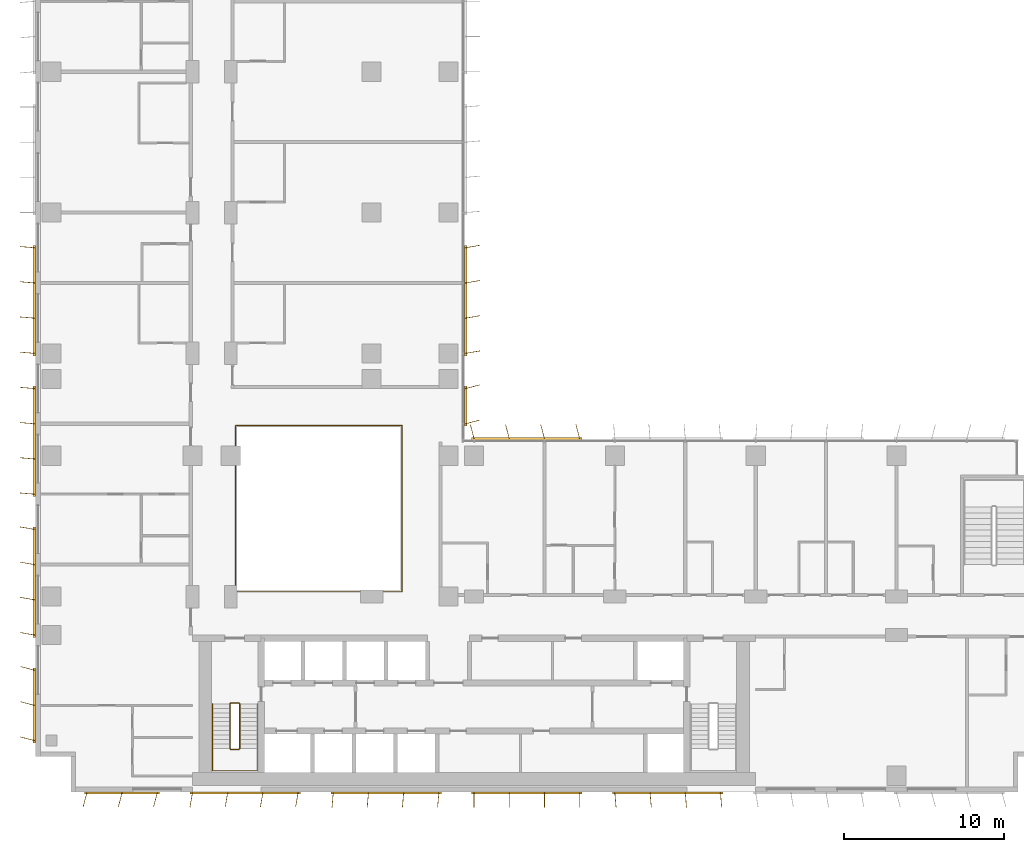
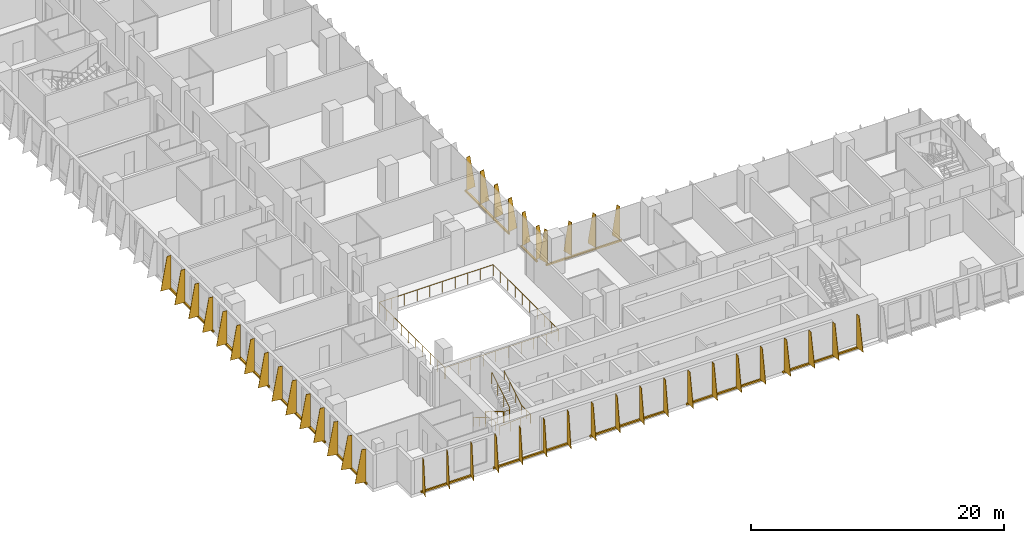
# One storey, part 19 of 22: 12 shading devices, 3 railings.
"""IFC4 building model written with IfcOpenShell, lengths in metres."""

from ifc_helpers import new_model, si_unit, direction, frame, origin, origin_2d, place, context, subcontext, project, spatial, polyline, rectangle, circle, outline, extrude, source, transform, mapped, material, layer, layer_set, type_object, element, save


model = new_model("IFC4")

# Units and contexts
model_context = context("Model", 3, precision=1e-05, world=origin(), true_north=direction((0.0, 1.0)))
body_context = subcontext(model_context, "Body", "Model", "MODEL_VIEW")
ifc_project = project(units=[si_unit("LENGTHUNIT", "METRE"), si_unit("AREAUNIT", "SQUARE_METRE"), si_unit("VOLUMEUNIT", "CUBIC_METRE"), si_unit("PLANEANGLEUNIT", "RADIAN"), si_unit("MASSUNIT", "GRAM", prefix="KILO")], contexts=[model_context])

# Site, building, storey
site_placement = place(None, origin())
site = spatial("IfcSite", under=ifc_project, at=site_placement, CompositionType="ELEMENT")
building_placement = place(site_placement, origin())
building = spatial("IfcBuilding", under=site, at=building_placement, Name="Kemantara Hotel Tower", CompositionType="ELEMENT")
storey_placement = place(building_placement, frame((0.0, 0.0, 149.39990234375)))
storey = spatial("IfcBuildingStorey", under=building, at=storey_placement, Name="L36", CompositionType="ELEMENT", Elevation=149.39990234375)

# Railings
ifc_material_1 = material(Name="Stainless steel and laminated glass balustrade", Category="steel")
railing_type_1 = type_object("IfcRailingType", Name="ATRIUM GUARD 1100", PredefinedType="GUARDRAIL", material=ifc_material_1)
railing_1_placement = place(storey_placement, frame((12.56005859375, 12.5, 0.0)))
element("IfcRailing", 1, at=railing_1_placement, inside=storey, type_object=railing_type_1, Name="ATRIUM GUARD L36", PredefinedType="GUARDRAIL", context=body_context, shape_type="SweptSolid", body=[
    extrude(circle(Radius=0.02490234375, at=origin_2d()), frame((0.0, 0.0, 1.0751953125), z_axis=(1.0, 0.0, 0.0), x_axis=(0.0, 1.0, 0.0)), (0.0, 0.0, 1.0), 10.33984375),
    extrude(circle(Radius=0.02490234375, at=origin_2d()), frame((10.33984375, 0.0, 1.0751953125), z_axis=(0.0, 1.0, 0.0), x_axis=(-1.0, 0.0, 0.0)), (0.0, 0.0, 1.0), 10.39990234375),
    extrude(circle(Radius=0.02490234375, at=origin_2d()), frame((10.33984375, 10.39990234375, 1.0751953125), z_axis=(-1.0, 0.0, 0.0), x_axis=(0.0, -1.0, 0.0)), (0.0, 0.0, 1.0), 10.39990234375),
    extrude(circle(Radius=0.02490234375, at=origin_2d()), frame((-0.06005859375, 10.39990234375, 1.0751953125), z_axis=(0.0, -1.0, 0.0), x_axis=(1.0, 0.0, 0.0)), (0.0, 0.0, 1.0), 10.39990234375),
    extrude(circle(Radius=0.02001953125, at=origin_2d()), origin(), (0.0, 0.0, 1.0), 1.050048828125),
    extrude(circle(Radius=0.02001953125, at=origin_2d()), frame((1.14892578125, 0.0, 0.0)), (0.0, 0.0, 1.0), 1.050048828125),
    extrude(circle(Radius=0.02001953125, at=origin_2d()), frame((2.2978515625, 0.0, 0.0)), (0.0, 0.0, 1.0), 1.050048828125),
    extrude(circle(Radius=0.02001953125, at=origin_2d()), frame((3.446533203125, 0.0, 0.0)), (0.0, 0.0, 1.0), 1.050048828125),
    extrude(circle(Radius=0.02001953125, at=origin_2d()), frame((4.595458984375, 0.0, 0.0)), (0.0, 0.0, 1.0), 1.050048828125),
    extrude(circle(Radius=0.02001953125, at=origin_2d()), frame((5.744384765625, 0.0, 0.0)), (0.0, 0.0, 1.0), 1.050048828125),
    extrude(circle(Radius=0.02001953125, at=origin_2d()), frame((6.893310546875, 0.0, 0.0)), (0.0, 0.0, 1.0), 1.050048828125),
    extrude(circle(Radius=0.02001953125, at=origin_2d()), frame((8.0419921875, 0.0, 0.0)), (0.0, 0.0, 1.0), 1.050048828125),
    extrude(circle(Radius=0.02001953125, at=origin_2d()), frame((9.19091796875, 0.0, 0.0)), (0.0, 0.0, 1.0), 1.050048828125),
    extrude(circle(Radius=0.02001953125, at=origin_2d()), frame((10.33984375, 0.0, 0.0)), (0.0, 0.0, 1.0), 1.050048828125),
    extrude(circle(Radius=0.02001953125, at=origin_2d()), frame((10.33984375, 1.155517578125, 0.0)), (0.0, 0.0, 1.0), 1.050048828125),
    extrude(circle(Radius=0.02001953125, at=origin_2d()), frame((10.33984375, 2.31103515625, 0.0)), (0.0, 0.0, 1.0), 1.050048828125),
    extrude(circle(Radius=0.02001953125, at=origin_2d()), frame((10.33984375, 3.466552734375, 0.0)), (0.0, 0.0, 1.0), 1.050048828125),
    extrude(circle(Radius=0.02001953125, at=origin_2d()), frame((10.33984375, 4.6220703125, 0.0)), (0.0, 0.0, 1.0), 1.050048828125),
    extrude(circle(Radius=0.02001953125, at=origin_2d()), frame((10.33984375, 5.77783203125, 0.0)), (0.0, 0.0, 1.0), 1.050048828125),
    extrude(circle(Radius=0.02001953125, at=origin_2d()), frame((10.33984375, 6.933349609375, 0.0)), (0.0, 0.0, 1.0), 1.050048828125),
    extrude(circle(Radius=0.02001953125, at=origin_2d()), frame((10.33984375, 8.0888671875, 0.0)), (0.0, 0.0, 1.0), 1.050048828125),
    extrude(circle(Radius=0.02001953125, at=origin_2d()), frame((10.33984375, 9.244384765625, 0.0)), (0.0, 0.0, 1.0), 1.050048828125),
    extrude(circle(Radius=0.02001953125, at=origin_2d()), frame((10.33984375, 10.39990234375, 0.0)), (0.0, 0.0, 1.0), 1.050048828125),
    extrude(circle(Radius=0.02001953125, at=origin_2d()), frame((9.184326171875, 10.39990234375, 0.0)), (0.0, 0.0, 1.0), 1.050048828125),
    extrude(circle(Radius=0.02001953125, at=origin_2d()), frame((8.02880859375, 10.39990234375, 0.0)), (0.0, 0.0, 1.0), 1.050048828125),
    extrude(circle(Radius=0.02001953125, at=origin_2d()), frame((6.873291015625, 10.39990234375, 0.0)), (0.0, 0.0, 1.0), 1.050048828125),
    extrude(circle(Radius=0.02001953125, at=origin_2d()), frame((5.7177734375, 10.39990234375, 0.0)), (0.0, 0.0, 1.0), 1.050048828125),
    extrude(circle(Radius=0.02001953125, at=origin_2d()), frame((4.56201171875, 10.39990234375, 0.0)), (0.0, 0.0, 1.0), 1.050048828125),
    extrude(circle(Radius=0.02001953125, at=origin_2d()), frame((3.406494140625, 10.39990234375, 0.0)), (0.0, 0.0, 1.0), 1.050048828125),
    extrude(circle(Radius=0.02001953125, at=origin_2d()), frame((2.2509765625, 10.39990234375, 0.0)), (0.0, 0.0, 1.0), 1.050048828125),
    extrude(circle(Radius=0.02001953125, at=origin_2d()), frame((1.095458984375, 10.39990234375, 0.0)), (0.0, 0.0, 1.0), 1.050048828125),
    extrude(circle(Radius=0.02001953125, at=origin_2d()), frame((-0.06005859375, 10.39990234375, 0.0)), (0.0, 0.0, 1.0), 1.050048828125),
    extrude(circle(Radius=0.02001953125, at=origin_2d()), frame((-0.06005859375, 9.244384765625, 0.0)), (0.0, 0.0, 1.0), 1.050048828125),
    extrude(circle(Radius=0.02001953125, at=origin_2d()), frame((-0.06005859375, 8.0888671875, 0.0)), (0.0, 0.0, 1.0), 1.050048828125),
    extrude(circle(Radius=0.02001953125, at=origin_2d()), frame((-0.06005859375, 6.933349609375, 0.0)), (0.0, 0.0, 1.0), 1.050048828125),
    extrude(circle(Radius=0.02001953125, at=origin_2d()), frame((-0.06005859375, 5.77783203125, 0.0)), (0.0, 0.0, 1.0), 1.050048828125),
    extrude(circle(Radius=0.02001953125, at=origin_2d()), frame((-0.06005859375, 4.6220703125, 0.0)), (0.0, 0.0, 1.0), 1.050048828125),
    extrude(circle(Radius=0.02001953125, at=origin_2d()), frame((-0.06005859375, 3.466552734375, 0.0)), (0.0, 0.0, 1.0), 1.050048828125),
    extrude(circle(Radius=0.02001953125, at=origin_2d()), frame((-0.06005859375, 2.31103515625, 0.0)), (0.0, 0.0, 1.0), 1.050048828125),
    extrude(circle(Radius=0.02001953125, at=origin_2d()), frame((-0.06005859375, 1.155517578125, 0.0)), (0.0, 0.0, 1.0), 1.050048828125),
    extrude(circle(Radius=0.02001953125, at=origin_2d()), frame((-0.06005859375, 0.0, 0.0)), (0.0, 0.0, 1.0), 1.050048828125),
])
ifc_material_2 = material(Name="Stainless steel balustrade", Category="steel")
railing_type_2 = type_object("IfcRailingType", Name="Stair guard 1100 mm", PredefinedType="GUARDRAIL", material=ifc_material_2)
railing_2_placement = place(storey_placement, frame((12.75, 5.5, 3.7001953125)))
element("IfcRailing", 2, at=railing_2_placement, inside=storey, type_object=railing_type_2, Name="L36 ST1 stair guard 1", PredefinedType="GUARDRAIL", context=body_context, shape_type="SweptSolid", body=[
    extrude(circle(Radius=0.02392578125, at=origin_2d()), frame((0.0, 0.0, 1.076171875), z_axis=(0.0, -0.857242210791, -0.514913383045), x_axis=(1.0, 0.0, 0.0)), (0.0, 0.0, 1.0), 3.266357421875),
    extrude(circle(Radius=0.02392578125, at=origin_2d()), frame((0.0, -2.800048828125, -0.60595703125), z_axis=(-0.274243871929, -0.274243871929, -0.92172696468), x_axis=(0.707106781187, -0.707106781187, 0.0)), (0.0, 0.0, 1.0), 0.1826171875),
    extrude(circle(Radius=0.02392578125, at=origin_2d()), frame((-0.050048828125, -2.85009765625, -0.77392578125), z_axis=(-1.0, 0.0, 0.0), x_axis=(0.0, -1.0, 0.0)), (0.0, 0.0, 1.0), 0.5),
    extrude(circle(Radius=0.02392578125, at=origin_2d()), frame((-0.550048828125, -2.85009765625, -0.77392578125), z_axis=(-0.707106781187, 0.707106781187, 0.0), x_axis=(-0.707106781187, -0.707106781187, 0.0)), (0.0, 0.0, 1.0), 0.07080078125),
    extrude(circle(Radius=0.02392578125, at=origin_2d()), frame((-0.60009765625, -2.800048828125, -0.77392578125), z_axis=(0.0, 0.857242210791, -0.514913383045), x_axis=(-1.0, 0.0, 0.0)), (0.0, 0.0, 1.0), 3.266357421875),
    extrude(circle(Radius=0.02392578125, at=origin_2d()), frame((-0.60009765625, 0.0, -2.4560546875), z_axis=(0.274243871929, 0.274243871929, -0.92172696468), x_axis=(-0.707106781187, 0.707106781187, 0.0)), (0.0, 0.0, 1.0), 0.1826171875),
    extrude(circle(Radius=0.02392578125, at=origin_2d()), frame((-0.550048828125, 0.050048828125, -2.6240234375), z_axis=(1.0, 0.0, 0.0), x_axis=(0.0, 1.0, 0.0)), (0.0, 0.0, 1.0), 0.5),
    extrude(circle(Radius=0.02099609375, at=origin_2d()), origin(), (0.0, 0.0, 1.0), 1.052001953125),
    extrude(circle(Radius=0.02099609375, at=origin_2d()), frame((0.0, -0.933349609375, -0.560546875)), (0.0, 0.0, 1.0), 1.052001953125),
    extrude(circle(Radius=0.02099609375, at=origin_2d()), frame((0.0, -1.86669921875, -1.121337890625)), (0.0, 0.0, 1.0), 1.052001953125),
    extrude(circle(Radius=0.02099609375, at=origin_2d()), frame((0.0, -2.800048828125, -1.681884765625)), (0.0, 0.0, 1.0), 1.052001953125),
    extrude(circle(Radius=0.02099609375, at=origin_2d()), frame((-0.050048828125, -2.85009765625, -1.85009765625)), (0.0, 0.0, 1.0), 1.052001953125),
    extrude(circle(Radius=0.02099609375, at=origin_2d()), frame((-0.550048828125, -2.85009765625, -1.85009765625)), (0.0, 0.0, 1.0), 1.052001953125),
    extrude(circle(Radius=0.02099609375, at=origin_2d()), frame((-0.60009765625, -2.800048828125, -1.85009765625)), (0.0, 0.0, 1.0), 1.052001953125),
    extrude(circle(Radius=0.02099609375, at=origin_2d()), frame((-0.60009765625, -1.86669921875, -2.41064453125)), (0.0, 0.0, 1.0), 1.052001953125),
    extrude(circle(Radius=0.02099609375, at=origin_2d()), frame((-0.60009765625, -0.933349609375, -2.971435546875)), (0.0, 0.0, 1.0), 1.052001953125),
    extrude(circle(Radius=0.02099609375, at=origin_2d()), frame((-0.60009765625, 0.0, -3.531982421875)), (0.0, 0.0, 1.0), 1.052001953125),
    extrude(circle(Radius=0.02099609375, at=origin_2d()), frame((-0.550048828125, 0.050048828125, -3.7001953125)), (0.0, 0.0, 1.0), 1.052001953125),
    extrude(circle(Radius=0.02099609375, at=origin_2d()), frame((-0.050048828125, 0.050048828125, -3.7001953125)), (0.0, 0.0, 1.0), 1.052001953125),
])
railing_type_3 = type_object("IfcRailingType", Name="Stair handrail 900 mm", PredefinedType="HANDRAIL", material=ifc_material_2)
railing_3_placement = place(storey_placement, frame((11.050048828125, 5.5, 0.168212890625)))
element("IfcRailing", 3, at=railing_3_placement, inside=storey, type_object=railing_type_3, Name="L36 ST1 stair handrail 1", PredefinedType="HANDRAIL", context=body_context, shape_type="SweptSolid", body=[
    extrude(circle(Radius=0.02392578125, at=origin_2d()), frame((0.0, 0.0, 0.8759765625), z_axis=(0.0, -0.857242210791, 0.514913383045), x_axis=(1.0, 0.0, 0.0)), (0.0, 0.0, 1.0), 3.266357421875),
    extrude(circle(Radius=0.02392578125, at=origin_2d()), frame((0.0, -2.800048828125, 2.5576171875), z_axis=(0.0, -1.0, 0.0), x_axis=(1.0, 0.0, 0.0)), (0.0, 0.0, 1.0), 1.3798828125),
    extrude(circle(Radius=0.02392578125, at=origin_2d()), frame((0.0, -4.179931640625, 2.5576171875), z_axis=(0.998200367801, 0.0, 0.059966871865), x_axis=(0.0, 1.0, 0.0)), (0.0, 0.0, 1.0), 2.80517578125),
    extrude(circle(Radius=0.02392578125, at=origin_2d()), frame((2.800048828125, -4.179931640625, 2.72607421875), z_axis=(0.0, 1.0, 0.0), x_axis=(-1.0, 0.0, 0.0)), (0.0, 0.0, 1.0), 1.3798828125),
    extrude(circle(Radius=0.02392578125, at=origin_2d()), frame((2.800048828125, -2.800048828125, 2.72607421875), z_axis=(0.0, 0.857242210791, 0.514913383045), x_axis=(-1.0, 0.0, 0.0)), (0.0, 0.0, 1.0), 3.266357421875),
    extrude(circle(Radius=0.02099609375, at=origin_2d()), origin(), (0.0, 0.0, 1.0), 0.851806640625),
    extrude(circle(Radius=0.02099609375, at=origin_2d()), frame((0.0, -0.933349609375, 0.560546875)), (0.0, 0.0, 1.0), 0.851806640625),
    extrude(circle(Radius=0.02099609375, at=origin_2d()), frame((0.0, -1.86669921875, 1.121337890625)), (0.0, 0.0, 1.0), 0.851806640625),
    extrude(circle(Radius=0.02099609375, at=origin_2d()), frame((0.0, -2.800048828125, 1.681884765625)), (0.0, 0.0, 1.0), 0.851806640625),
    extrude(circle(Radius=0.02099609375, at=origin_2d()), frame((0.0, -3.489990234375, 1.681884765625)), (0.0, 0.0, 1.0), 0.851806640625),
    extrude(circle(Radius=0.02099609375, at=origin_2d()), frame((0.0, -4.179931640625, 1.681884765625)), (0.0, 0.0, 1.0), 0.851806640625),
    extrude(circle(Radius=0.02099609375, at=origin_2d()), frame((0.933349609375, -4.179931640625, 1.738037109375)), (0.0, 0.0, 1.0), 0.851806640625),
    extrude(circle(Radius=0.02099609375, at=origin_2d()), frame((1.86669921875, -4.179931640625, 1.7939453125)), (0.0, 0.0, 1.0), 0.851806640625),
    extrude(circle(Radius=0.02099609375, at=origin_2d()), frame((2.800048828125, -4.179931640625, 1.85009765625)), (0.0, 0.0, 1.0), 0.851806640625),
    extrude(circle(Radius=0.02099609375, at=origin_2d()), frame((2.800048828125, -3.489990234375, 1.85009765625)), (0.0, 0.0, 1.0), 0.851806640625),
    extrude(circle(Radius=0.02099609375, at=origin_2d()), frame((2.800048828125, -2.800048828125, 1.85009765625)), (0.0, 0.0, 1.0), 0.851806640625),
    extrude(circle(Radius=0.02099609375, at=origin_2d()), frame((2.800048828125, -1.86669921875, 2.41064453125)), (0.0, 0.0, 1.0), 0.851806640625),
    extrude(circle(Radius=0.02099609375, at=origin_2d()), frame((2.800048828125, -0.933349609375, 2.971435546875)), (0.0, 0.0, 1.0), 0.851806640625),
    extrude(circle(Radius=0.02099609375, at=origin_2d()), frame((2.800048828125, 0.0, 3.531982421875)), (0.0, 0.0, 1.0), 0.851806640625),
])

# Shading devices
ifc_material_3 = material(Name="Perforated aluminium plate 4 mm bronze anodised", Category="aluminium")
ifc_layer_1 = layer(ifc_material_3, 0.0400390625)
ifc_layer_set_1 = layer_set([ifc_layer_1], Name="Perforated aluminium plate 4 mm bronze anodised")
shading_device_type_1 = type_object("IfcShadingDeviceType", Name="SCREEN FIN CASSETTE, 3 BLADES AT -15.0 DEG, 3200 HIGH", PredefinedType="USERDEFINED", material=ifc_layer_set_1)
shared_shape_1 = source(origin(), body_context, "Body", "SweptSolid", [
    extrude(rectangle(XDim=4.699951171875, YDim=0.14990234375, at=origin_2d()), frame((2.199951171875, -0.074951171875, -0.14990234375), z_axis=(0.0, 0.0, 1.0), x_axis=(1.0, 0.0, 0.0)), (0.0, 0.0, 1.0), 0.14990234375),
    extrude(outline(polyline([(0.0, 0.0), (0.89990234375, 0.0), (0.35009765625, 3.199951171875), (0.0, 3.199951171875), (0.0, 0.0)])), frame((0.019287109375, -0.080078125, 0.0), z_axis=(-0.966437683387, 0.256901156343, 0.0), x_axis=(-0.256901156343, -0.966437683387, 0.0)), (0.0, 0.0, 1.0), 0.039794921875),
    extrude(outline(polyline([(0.0, 0.0), (0.89990234375, 0.0), (0.35009765625, 3.199951171875), (0.0, 3.199951171875), (0.0, 0.0)])), frame((2.21923828125, -0.080078125, 0.0), z_axis=(-0.966437683387, 0.256901156343, 0.0), x_axis=(-0.256901156343, -0.966437683387, 0.0)), (0.0, 0.0, 1.0), 0.039794921875),
    extrude(outline(polyline([(0.0, 0.0), (0.89990234375, 0.0), (0.35009765625, 3.199951171875), (0.0, 3.199951171875), (0.0, 0.0)])), frame((4.41943359375, -0.080078125, 0.0), z_axis=(-0.966837822169, 0.255391122837, 0.0), x_axis=(-0.255391122837, -0.966837822169, 0.0)), (0.0, 0.0, 1.0), 0.0400390625),
])
for number, where, z_axis, x_axis, name in (
    (4, (0.0, 7.60009765625, 0.10009765625), (0.0, 0.0, 1.0), (0.0, -1.0, 0.0), "SCREEN FIN CASSETTE L36 T2-R04-9"),
    (5, (3.199951171875, 0.0, 0.10009765625), (0.0, 0.0, 1.0), (1.0, 0.0, 0.0), "SCREEN FIN CASSETTE L36 T2-R07-1"),
):
    element("IfcShadingDevice", number, at=place(storey_placement, frame(where, z_axis=z_axis, x_axis=x_axis)), inside=storey, type_object=shading_device_type_1, Name=name, ObjectType="SCREEN FIN", PredefinedType="USERDEFINED", context=body_context, shape_type="MappedRepresentation", body=[
        mapped(shared_shape_1, transform((0.0, 0.0, 0.0))),
    ])
ifc_layer_2 = layer(ifc_material_3, 0.0400390625)
ifc_layer_set_2 = layer_set([ifc_layer_2], Name="Perforated aluminium plate 4 mm bronze anodised")
shading_device_type_2 = type_object("IfcShadingDeviceType", Name="SCREEN FIN CASSETTE, 4 BLADES AT -10.0 DEG, 3200 HIGH", PredefinedType="USERDEFINED", material=ifc_layer_set_2)
shared_shape_2 = source(origin(), body_context, "Body", "SweptSolid", [
    extrude(rectangle(XDim=6.89990234375, YDim=0.14990234375, at=origin_2d()), frame((3.300048828125, -0.074951171875, -0.14990234375), z_axis=(0.0, 0.0, 1.0), x_axis=(1.0, 0.0, 0.0)), (0.0, 0.0, 1.0), 0.14990234375),
    extrude(outline(polyline([(0.0, 0.0), (0.89990234375, 0.0), (0.35009765625, 3.199951171875), (0.0, 3.199951171875), (0.0, 0.0)])), frame((0.019775390625, -0.078369140625, 0.0), z_axis=(-0.985389793052, 0.170314285219, 0.0), x_axis=(-0.170314285219, -0.985389793052, 0.0)), (0.0, 0.0, 1.0), 0.0400390625),
    extrude(outline(polyline([(0.0, 0.0), (0.89990234375, 0.0), (0.35009765625, 3.199951171875), (0.0, 3.199951171875), (0.0, 0.0)])), frame((2.2197265625, -0.078369140625, 0.0), z_axis=(-0.98521175482, 0.171341174751, 0.0), x_axis=(-0.171341174751, -0.98521175482, 0.0)), (0.0, 0.0, 1.0), 0.039794921875),
    extrude(outline(polyline([(0.0, 0.0), (0.89990234375, 0.0), (0.35009765625, 3.199951171875), (0.0, 3.199951171875), (0.0, 0.0)])), frame((4.419677734375, -0.078369140625, 0.0), z_axis=(-0.98521175482, 0.171341174751, 0.0), x_axis=(-0.171341174751, -0.98521175482, 0.0)), (0.0, 0.0, 1.0), 0.039794921875),
    extrude(outline(polyline([(0.0, 0.0), (0.89990234375, 0.0), (0.35009765625, 3.199951171875), (0.0, 3.199951171875), (0.0, 0.0)])), frame((6.61962890625, -0.078369140625, 0.0), z_axis=(-0.98521175482, 0.171341174751, 0.0), x_axis=(-0.171341174751, -0.98521175482, 0.0)), (0.0, 0.0, 1.0), 0.039794921875),
])
for number, where, z_axis, x_axis, name in (
    (6, (0.0, 16.39990234375, 0.10009765625), (0.0, 0.0, 1.0), (0.0, -1.0, 0.0), "SCREEN FIN CASSETTE L36 T2-R04-8"),
    (7, (9.800048828125, 0.0, 0.10009765625), (0.0, 0.0, 1.0), (1.0, 0.0, 0.0), "SCREEN FIN CASSETTE L36 T2-R07-2"),
):
    element("IfcShadingDevice", number, at=place(storey_placement, frame(where, z_axis=z_axis, x_axis=x_axis)), inside=storey, type_object=shading_device_type_2, Name=name, ObjectType="SCREEN FIN", PredefinedType="USERDEFINED", context=body_context, shape_type="MappedRepresentation", body=[
        mapped(shared_shape_2, transform((0.0, 0.0, 0.0))),
    ])
ifc_layer_3 = layer(ifc_material_3, 0.0400390625)
ifc_layer_set_3 = layer_set([ifc_layer_3], Name="Perforated aluminium plate 4 mm bronze anodised")
shading_device_type_3 = type_object("IfcShadingDeviceType", Name="SCREEN FIN CASSETTE, 4 BLADES AT -5.0 DEG, 3200 HIGH", PredefinedType="USERDEFINED", material=ifc_layer_set_3)
shared_shape_3 = source(origin(), body_context, "Body", "SweptSolid", [
    extrude(rectangle(XDim=6.89990234375, YDim=0.14990234375, at=origin_2d()), frame((3.300048828125, -0.074951171875, -0.14990234375), z_axis=(0.0, 0.0, 1.0), x_axis=(1.0, 0.0, 0.0)), (0.0, 0.0, 1.0), 0.14990234375),
    extrude(outline(polyline([(0.0, 0.0), (0.89990234375, 0.0), (0.35009765625, 3.199951171875), (0.0, 3.199951171875), (0.0, 0.0)])), frame((0.02001953125, -0.07666015625, 0.0), z_axis=(-0.996376129781, 0.085056498884, 0.0), x_axis=(-0.085056498884, -0.996376129781, 0.0)), (0.0, 0.0, 1.0), 0.040283203125),
    extrude(outline(polyline([(0.0, 0.0), (0.89990234375, 0.0), (0.35009765625, 3.199951171875), (0.0, 3.199951171875), (0.0, 0.0)])), frame((2.219970703125, -0.07666015625, 0.0), z_axis=(-0.996331773833, 0.085574508182, 0.0), x_axis=(-0.085574508182, -0.996331773833, 0.0)), (0.0, 0.0, 1.0), 0.0400390625),
    extrude(outline(polyline([(0.0, 0.0), (0.89990234375, 0.0), (0.35009765625, 3.199951171875), (0.0, 3.199951171875), (0.0, 0.0)])), frame((4.419921875, -0.07666015625, 0.0), z_axis=(-0.996331773833, 0.085574508182, 0.0), x_axis=(-0.085574508182, -0.996331773833, 0.0)), (0.0, 0.0, 1.0), 0.0400390625),
    extrude(outline(polyline([(0.0, 0.0), (0.89990234375, 0.0), (0.35009765625, 3.199951171875), (0.0, 3.199951171875), (0.0, 0.0)])), frame((6.619873046875, -0.07666015625, 0.0), z_axis=(-0.996331773833, 0.085574508182, 0.0), x_axis=(-0.085574508182, -0.996331773833, 0.0)), (0.0, 0.0, 1.0), 0.0400390625),
])
for number, where, z_axis, x_axis, name in (
    (8, (0.0, 34.0, 0.10009765625), (0.0, 0.0, 1.0), (0.0, -1.0, 0.0), "SCREEN FIN CASSETTE L36 T2-R04-6"),
    (9, (0.0, 25.199951171875, 0.10009765625), (0.0, 0.0, 1.0), (0.0, -1.0, 0.0), "SCREEN FIN CASSETTE L36 T2-R04-7"),
    (10, (18.60009765625, 0.0, 0.10009765625), (0.0, 0.0, 1.0), (1.0, 0.0, 0.0), "SCREEN FIN CASSETTE L36 T2-R07-3"),
):
    element("IfcShadingDevice", number, at=place(storey_placement, frame(where, z_axis=z_axis, x_axis=x_axis)), inside=storey, type_object=shading_device_type_3, Name=name, ObjectType="SCREEN FIN", PredefinedType="USERDEFINED", context=body_context, shape_type="MappedRepresentation", body=[
        mapped(shared_shape_3, transform((0.0, 0.0, 0.0))),
    ])
ifc_layer_4 = layer(ifc_material_3, 0.0400390625)
ifc_layer_set_4 = layer_set([ifc_layer_4], Name="Perforated aluminium plate 4 mm bronze anodised")
shading_device_type_4 = type_object("IfcShadingDeviceType", Name="SCREEN FIN CASSETTE, 4 BLADES AT +0.0 DEG, 3200 HIGH", PredefinedType="USERDEFINED", material=ifc_layer_set_4)
shared_shape_4 = source(origin(), body_context, "Body", "SweptSolid", [
    extrude(rectangle(XDim=6.89990234375, YDim=0.14990234375, at=origin_2d()), frame((3.300048828125, -0.074951171875, -0.14990234375), z_axis=(0.0, 0.0, 1.0), x_axis=(1.0, 0.0, 0.0)), (0.0, 0.0, 1.0), 0.14990234375),
    extrude(outline(polyline([(0.0, 0.0), (0.89990234375, 0.0), (0.35009765625, 3.199951171875), (0.0, 3.199951171875), (0.0, 0.0)])), frame((0.02001953125, -0.074951171875, 0.0), z_axis=(-1.0, 0.0, 0.0), x_axis=(0.0, -1.0, 0.0)), (0.0, 0.0, 1.0), 0.0400390625),
    extrude(outline(polyline([(0.0, 0.0), (0.89990234375, 0.0), (0.35009765625, 3.199951171875), (0.0, 3.199951171875), (0.0, 0.0)])), frame((2.219970703125, -0.074951171875, 0.0), z_axis=(-1.0, 0.0, 0.0), x_axis=(0.0, -1.0, 0.0)), (0.0, 0.0, 1.0), 0.0400390625),
    extrude(outline(polyline([(0.0, 0.0), (0.89990234375, 0.0), (0.35009765625, 3.199951171875), (0.0, 3.199951171875), (0.0, 0.0)])), frame((4.419921875, -0.074951171875, 0.0), z_axis=(-1.0, 0.0, 0.0), x_axis=(0.0, -1.0, 0.0)), (0.0, 0.0, 1.0), 0.0400390625),
    extrude(outline(polyline([(0.0, 0.0), (0.89990234375, 0.0), (0.35009765625, 3.199951171875), (0.0, 3.199951171875), (0.0, 0.0)])), frame((6.6201171875, -0.074951171875, 0.0), z_axis=(-1.0, 0.0, 0.0), x_axis=(0.0, -1.0, 0.0)), (0.0, 0.0, 1.0), 0.0400390625),
])
shading_device_1_placement = place(storey_placement, frame((27.39990234375, 0.0, 0.10009765625), z_axis=(0.0, 0.0, 1.0), x_axis=(1.0, 0.0, 0.0)))
element("IfcShadingDevice", 11, at=shading_device_1_placement, inside=storey, type_object=shading_device_type_4, Name="SCREEN FIN CASSETTE L36 T2-R07-4", ObjectType="SCREEN FIN", PredefinedType="USERDEFINED", context=body_context, shape_type="MappedRepresentation", body=[
    mapped(shared_shape_4, transform((0.0, 0.0, 0.0))),
])
ifc_layer_5 = layer(ifc_material_3, 0.0400390625)
ifc_layer_set_5 = layer_set([ifc_layer_5], Name="Perforated aluminium plate 4 mm bronze anodised")
shading_device_type_5 = type_object("IfcShadingDeviceType", Name="SCREEN FIN CASSETTE, 4 BLADES AT +5.0 DEG, 3200 HIGH", PredefinedType="USERDEFINED", material=ifc_layer_set_5)
shared_shape_5 = source(origin(), body_context, "Body", "SweptSolid", [
    extrude(rectangle(XDim=6.89990234375, YDim=0.14990234375, at=origin_2d()), frame((3.300048828125, -0.074951171875, -0.14990234375), z_axis=(0.0, 0.0, 1.0), x_axis=(1.0, 0.0, 0.0)), (0.0, 0.0, 1.0), 0.14990234375),
    extrude(outline(polyline([(0.0, 0.0), (0.89990234375, 0.0), (0.35009765625, 3.199951171875), (0.0, 3.199951171875), (0.0, 0.0)])), frame((0.02001953125, -0.0732421875, 0.0), z_axis=(-0.996376129781, -0.085056498884, 0.0), x_axis=(0.085056498884, -0.996376129781, 0.0)), (0.0, 0.0, 1.0), 0.040283203125),
    extrude(outline(polyline([(0.0, 0.0), (0.89990234375, 0.0), (0.35009765625, 3.199951171875), (0.0, 3.199951171875), (0.0, 0.0)])), frame((2.219970703125, -0.0732421875, 0.0), z_axis=(-0.996331773833, -0.085574508182, 0.0), x_axis=(0.085574508182, -0.996331773833, 0.0)), (0.0, 0.0, 1.0), 0.0400390625),
    extrude(outline(polyline([(0.0, 0.0), (0.89990234375, 0.0), (0.35009765625, 3.199951171875), (0.0, 3.199951171875), (0.0, 0.0)])), frame((4.419921875, -0.0732421875, 0.0), z_axis=(-0.996331773833, -0.085574508182, 0.0), x_axis=(0.085574508182, -0.996331773833, 0.0)), (0.0, 0.0, 1.0), 0.0400390625),
    extrude(outline(polyline([(0.0, 0.0), (0.89990234375, 0.0), (0.35009765625, 3.199951171875), (0.0, 3.199951171875), (0.0, 0.0)])), frame((6.619873046875, -0.0732421875, 0.0), z_axis=(-0.996331773833, -0.085574508182, 0.0), x_axis=(0.085574508182, -0.996331773833, 0.0)), (0.0, 0.0, 1.0), 0.0400390625),
])
shading_device_2_placement = place(storey_placement, frame((36.199951171875, 0.0, 0.10009765625), z_axis=(0.0, 0.0, 1.0), x_axis=(1.0, 0.0, 0.0)))
element("IfcShadingDevice", 12, at=shading_device_2_placement, inside=storey, type_object=shading_device_type_5, Name="SCREEN FIN CASSETTE L36 T2-R07-5", ObjectType="SCREEN FIN", PredefinedType="USERDEFINED", context=body_context, shape_type="MappedRepresentation", body=[
    mapped(shared_shape_5, transform((0.0, 0.0, 0.0))),
])
ifc_layer_6 = layer(ifc_material_3, 0.0400390625)
ifc_layer_set_6 = layer_set([ifc_layer_6], Name="Perforated aluminium plate 4 mm bronze anodised")
shading_device_type_6 = type_object("IfcShadingDeviceType", Name="SCREEN FIN CASSETTE, 4 BLADES AT +10.0 DEG, 3200 HIGH", PredefinedType="USERDEFINED", material=ifc_layer_set_6)
shared_shape_6 = source(origin(), body_context, "Body", "SweptSolid", [
    extrude(rectangle(XDim=6.89990234375, YDim=0.14990234375, at=origin_2d()), frame((3.300048828125, -0.074951171875, -0.14990234375), z_axis=(0.0, 0.0, 1.0), x_axis=(1.0, 0.0, 0.0)), (0.0, 0.0, 1.0), 0.14990234375),
    extrude(outline(polyline([(0.0, 0.0), (0.89990234375, 0.0), (0.35009765625, 3.199951171875), (0.0, 3.199951171875), (0.0, 0.0)])), frame((0.019775390625, -0.071533203125, 0.0), z_axis=(-0.985389793052, -0.170314285219, 0.0), x_axis=(0.170314285219, -0.985389793052, 0.0)), (0.0, 0.0, 1.0), 0.0400390625),
    extrude(outline(polyline([(0.0, 0.0), (0.89990234375, 0.0), (0.35009765625, 3.199951171875), (0.0, 3.199951171875), (0.0, 0.0)])), frame((2.2197265625, -0.071533203125, 0.0), z_axis=(-0.98521175482, -0.171341174751, 0.0), x_axis=(0.171341174751, -0.98521175482, 0.0)), (0.0, 0.0, 1.0), 0.039794921875),
    extrude(outline(polyline([(0.0, 0.0), (0.89990234375, 0.0), (0.35009765625, 3.199951171875), (0.0, 3.199951171875), (0.0, 0.0)])), frame((4.419677734375, -0.071533203125, 0.0), z_axis=(-0.98521175482, -0.171341174751, 0.0), x_axis=(0.171341174751, -0.98521175482, 0.0)), (0.0, 0.0, 1.0), 0.039794921875),
    extrude(outline(polyline([(0.0, 0.0), (0.89990234375, 0.0), (0.35009765625, 3.199951171875), (0.0, 3.199951171875), (0.0, 0.0)])), frame((6.61962890625, -0.071533203125, 0.0), z_axis=(-0.98521175482, -0.171341174751, 0.0), x_axis=(0.171341174751, -0.98521175482, 0.0)), (0.0, 0.0, 1.0), 0.039794921875),
])
shading_device_3_placement = place(storey_placement, frame((26.800048828125, 27.39990234375, 0.10009765625), z_axis=(0.0, 0.0, 1.0), x_axis=(0.0, 1.0, 0.0)))
element("IfcShadingDevice", 13, at=shading_device_3_placement, inside=storey, type_object=shading_device_type_6, Name="SCREEN FIN CASSETTE L36 T2-R14-2", ObjectType="SCREEN FIN", PredefinedType="USERDEFINED", context=body_context, shape_type="MappedRepresentation", body=[
    mapped(shared_shape_6, transform((0.0, 0.0, 0.0))),
])
ifc_layer_7 = layer(ifc_material_3, 0.0400390625)
ifc_layer_set_7 = layer_set([ifc_layer_7], Name="Perforated aluminium plate 4 mm bronze anodised")
shading_device_type_7 = type_object("IfcShadingDeviceType", Name="SCREEN FIN CASSETTE, 4 BLADES AT +15.0 DEG, 3200 HIGH", PredefinedType="USERDEFINED", material=ifc_layer_set_7)
shared_shape_7 = source(origin(), body_context, "Body", "SweptSolid", [
    extrude(rectangle(XDim=6.89990234375, YDim=0.14990234375, at=origin_2d()), frame((3.300048828125, -0.074951171875, -0.14990234375), z_axis=(0.0, 0.0, 1.0), x_axis=(1.0, 0.0, 0.0)), (0.0, 0.0, 1.0), 0.14990234375),
    extrude(outline(polyline([(0.0, 0.0), (0.89990234375, 0.0), (0.35009765625, 3.199951171875), (0.0, 3.199951171875), (0.0, 0.0)])), frame((0.019287109375, -0.06982421875, 0.0), z_axis=(-0.966437683387, -0.256901156343, 0.0), x_axis=(0.256901156343, -0.966437683387, 0.0)), (0.0, 0.0, 1.0), 0.039794921875),
    extrude(outline(polyline([(0.0, 0.0), (0.89990234375, 0.0), (0.35009765625, 3.199951171875), (0.0, 3.199951171875), (0.0, 0.0)])), frame((2.21923828125, -0.06982421875, 0.0), z_axis=(-0.966437683387, -0.256901156343, 0.0), x_axis=(0.256901156343, -0.966437683387, 0.0)), (0.0, 0.0, 1.0), 0.039794921875),
    extrude(outline(polyline([(0.0, 0.0), (0.89990234375, 0.0), (0.35009765625, 3.199951171875), (0.0, 3.199951171875), (0.0, 0.0)])), frame((4.41943359375, -0.06982421875, 0.0), z_axis=(-0.966837822169, -0.255391122837, 0.0), x_axis=(0.255391122837, -0.966837822169, 0.0)), (0.0, 0.0, 1.0), 0.0400390625),
    extrude(outline(polyline([(0.0, 0.0), (0.89990234375, 0.0), (0.35009765625, 3.199951171875), (0.0, 3.199951171875), (0.0, 0.0)])), frame((6.619384765625, -0.06982421875, 0.0), z_axis=(-0.966837822169, -0.255391122837, 0.0), x_axis=(0.255391122837, -0.966837822169, 0.0)), (0.0, 0.0, 1.0), 0.0400390625),
])
shading_device_4_placement = place(storey_placement, frame((34.0, 22.0, 0.10009765625), z_axis=(0.0, 0.0, 1.0), x_axis=(-1.0, 0.0, 0.0)))
element("IfcShadingDevice", 14, at=shading_device_4_placement, inside=storey, type_object=shading_device_type_7, Name="SCREEN FIN CASSETTE L36 T2-R13-4", ObjectType="SCREEN FIN", PredefinedType="USERDEFINED", context=body_context, shape_type="MappedRepresentation", body=[
    mapped(shared_shape_7, transform((0.0, 0.0, 0.0))),
])
ifc_layer_8 = layer(ifc_material_3, 0.0400390625)
ifc_layer_set_8 = layer_set([ifc_layer_8], Name="Perforated aluminium plate 4 mm bronze anodised")
shading_device_type_8 = type_object("IfcShadingDeviceType", Name="SCREEN FIN CASSETTE, 2 BLADES AT +15.0 DEG, 3200 HIGH", PredefinedType="USERDEFINED", material=ifc_layer_set_8)
shared_shape_8 = source(origin(), body_context, "Body", "SweptSolid", [
    extrude(rectangle(XDim=2.5, YDim=0.14990234375, at=origin_2d()), frame((1.10009765625, -0.074951171875, -0.14990234375), z_axis=(0.0, 0.0, 1.0), x_axis=(1.0, 0.0, 0.0)), (0.0, 0.0, 1.0), 0.14990234375),
    extrude(outline(polyline([(0.0, 0.0), (0.89990234375, 0.0), (0.35009765625, 3.199951171875), (0.0, 3.199951171875), (0.0, 0.0)])), frame((0.019287109375, -0.06982421875, 0.0), z_axis=(-0.966437683387, -0.256901156343, 0.0), x_axis=(0.256901156343, -0.966437683387, 0.0)), (0.0, 0.0, 1.0), 0.039794921875),
    extrude(outline(polyline([(0.0, 0.0), (0.89990234375, 0.0), (0.35009765625, 3.199951171875), (0.0, 3.199951171875), (0.0, 0.0)])), frame((2.21923828125, -0.06982421875, 0.0), z_axis=(-0.966437683387, -0.256901156343, 0.0), x_axis=(0.256901156343, -0.966437683387, 0.0)), (0.0, 0.0, 1.0), 0.039794921875),
])
shading_device_5_placement = place(storey_placement, frame((26.800048828125, 23.0, 0.10009765625), z_axis=(0.0, 0.0, 1.0), x_axis=(0.0, 1.0, 0.0)))
element("IfcShadingDevice", 15, at=shading_device_5_placement, inside=storey, type_object=shading_device_type_8, Name="SCREEN FIN CASSETTE L36 T2-R14-1", ObjectType="SCREEN FIN", PredefinedType="USERDEFINED", context=body_context, shape_type="MappedRepresentation", body=[
    mapped(shared_shape_8, transform((0.0, 0.0, 0.0))),
])

save(model, "model.ifc")
